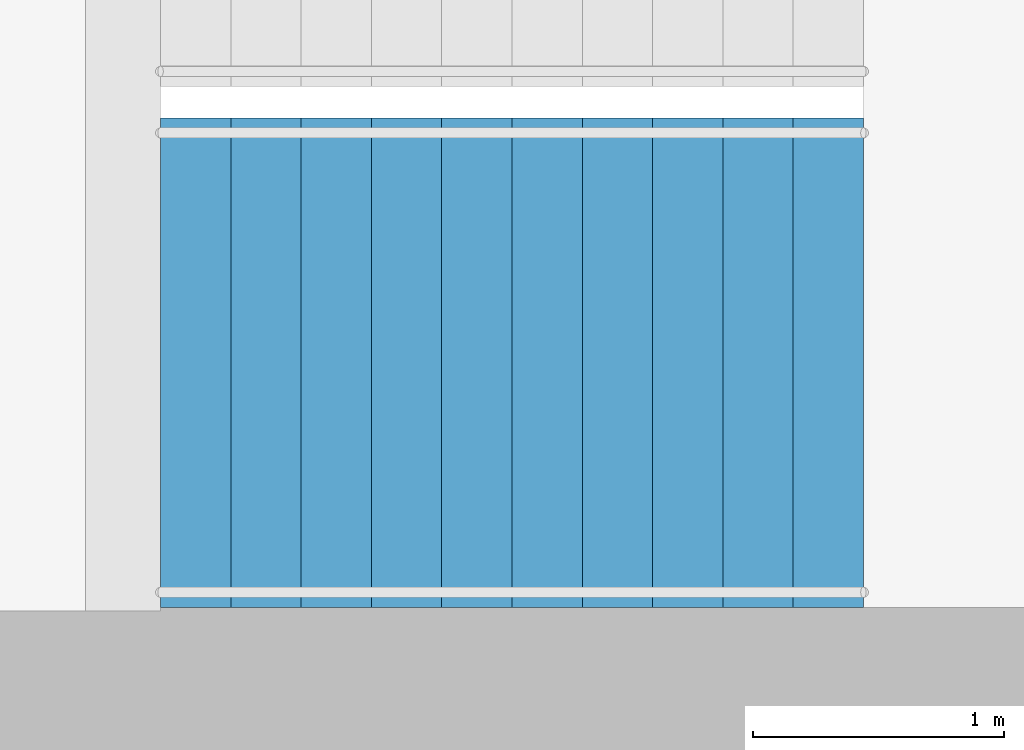
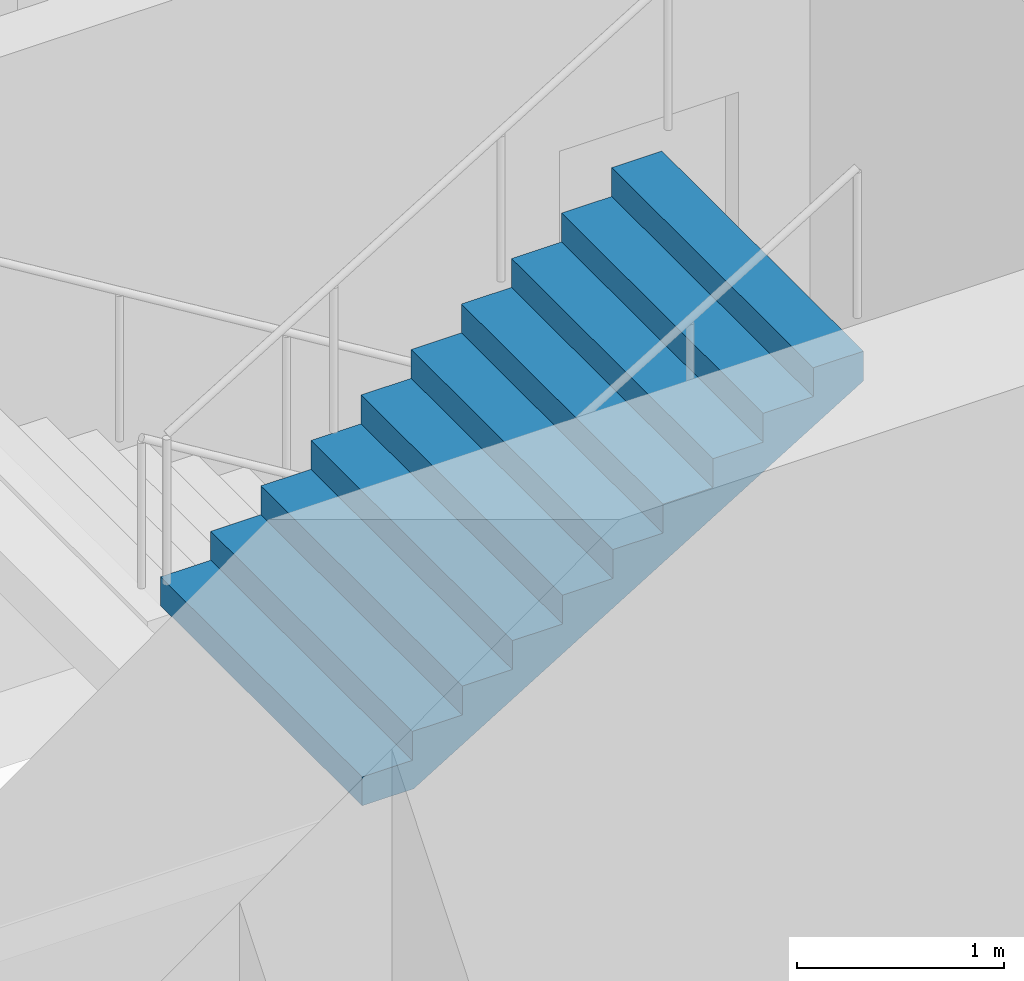
# One storey, part 26 of 29: 1 stair flight, 1 element without a shape of its own.
"""IFC4 building model written with IfcOpenShell, lengths in metres."""

from ifc_helpers import new_model, si_unit, direction, frame, origin, place, context, subcontext, project, spatial, triangles, material, type_object, element, aggregate, save


model = new_model("IFC4")

# Units and contexts
model_context = context("Model", 3, precision=1e-05, world=origin(), true_north=direction((0.0, 1.0)))
body_context = subcontext(model_context, "Body", "Model", "MODEL_VIEW")
ifc_project = project(units=[si_unit("LENGTHUNIT", "METRE"), si_unit("AREAUNIT", "SQUARE_METRE"), si_unit("VOLUMEUNIT", "CUBIC_METRE"), si_unit("PLANEANGLEUNIT", "RADIAN"), si_unit("MASSUNIT", "GRAM", prefix="KILO")], contexts=[model_context])

# Site, building, storey
site_placement = place(None, origin())
site = spatial("IfcSite", under=ifc_project, at=site_placement, CompositionType="ELEMENT")
building_placement = place(site_placement, origin())
building = spatial("IfcBuilding", under=site, at=building_placement, Name="Orbita Commons", CompositionType="ELEMENT")
storey_placement = place(building_placement, frame((0.0, 0.0, 163.60009765625)))
storey = spatial("IfcBuildingStorey", under=building, at=storey_placement, Name="L40", CompositionType="ELEMENT", Elevation=163.60009765625)

# Stair, stair flight
ifc_material_1 = material(Name="Precast concrete C40/50", Category="concrete")
stair_type = type_object("IfcStairType", Name="Exit stair S2 2 flights 11 risers 170", PredefinedType="HALF_TURN_STAIR", material=ifc_material_1)
stair_placement = place(storey_placement, origin())
stair = element("IfcStair", 1, at=stair_placement, inside=storey, type_object=stair_type, Name="Exit stair S2 L40", PredefinedType="HALF_TURN_STAIR")
ifc_material_2 = material(Name="Precast concrete C40/50", Category="concrete")
stair_flight_type = type_object("IfcStairFlightType", Name="Stair flight 11 risers 170 x 280", PredefinedType="STRAIGHT", material=ifc_material_2)
stair_flight_placement = place(storey_placement, frame((60.75, 27.199951171875, 1.875), z_axis=(0.0, 0.0, 1.0), x_axis=(1.0, 0.0, 0.0)))
stair_flight = element("IfcStairFlight", 2, at=stair_flight_placement, type_object=stair_flight_type, Name="S2 flight 2", NumberOfRisers=11, NumberOfTreads=10, PredefinedType="STRAIGHT", RiserHeight=0.170454545, TreadLength=0.28, context=body_context, shape_type="Tessellation", body=[
    triangles([(0.0, 0.974976, 0.0), (0.0, 0.974976, 0.021307), (0.0, 0.81248, 0.021307), (0.0, 0.81248, 0.0), (0.0, 0.649984, 0.021307), (0.0, 0.649984, 0.0), (0.0, 0.487488, 0.021307), (0.0, 0.487488, 0.0), (0.0, 0.324992, 0.021307), (0.0, 0.324992, 0.0), (0.0, 0.162496, 0.021307), (0.0, 0.162496, 0.0), (0.0, 0.0, 0.021307), (0.0, 0.0, 0.0), (0.0, -0.162496, 0.021307), (0.0, -0.162496, 0.0), (0.0, -0.324992, 0.021307), (0.0, -0.324992, 0.0), (0.0, -0.487488, 0.021307), (0.0, -0.487488, 0.0), (0.0, -0.649984, 0.021307), (0.0, -0.649984, 0.0), (0.0, -0.81248, 0.021307), (0.0, -0.81248, 0.0), (0.0, -0.974976, 0.021307), (0.0, -0.974976, 0.0), (0.0, 0.974976, 0.042614), (0.0, 0.81248, 0.042614), (0.0, 0.649984, 0.042614), (0.0, 0.487488, 0.042614), (0.0, 0.324992, 0.042614), (0.0, 0.162496, 0.042614), (0.0, 0.0, 0.042614), (0.0, -0.162496, 0.042614), (0.0, -0.324992, 0.042614), (0.0, -0.487488, 0.042614), (0.0, -0.649984, 0.042614), (0.0, -0.81248, 0.042614), (0.0, -0.974976, 0.042614), (0.0, 0.974976, 0.06392), (0.0, 0.81248, 0.06392), (0.0, 0.649984, 0.06392), (0.0, 0.487488, 0.06392), (0.0, 0.324992, 0.06392), (0.0, 0.162496, 0.06392), (0.0, 0.0, 0.06392), (0.0, -0.162496, 0.06392), (0.0, -0.324992, 0.06392), (0.0, -0.487488, 0.06392), (0.0, -0.649984, 0.06392), (0.0, -0.81248, 0.06392), (0.0, -0.974976, 0.06392), (0.0, 0.974976, 0.085227), (0.0, 0.81248, 0.085227), (0.0, 0.649984, 0.085227), (0.0, 0.487488, 0.085227), (0.0, 0.324992, 0.085227), (0.0, 0.162496, 0.085227), (0.0, 0.0, 0.085227), (0.0, -0.162496, 0.085227), (0.0, -0.324992, 0.085227), (0.0, -0.487488, 0.085227), (0.0, -0.649984, 0.085227), (0.0, -0.81248, 0.085227), (0.0, -0.974976, 0.085227), (0.0, 0.974976, 0.106534), (0.0, 0.81248, 0.106534), (0.0, 0.649984, 0.106534), (0.0, 0.487488, 0.106534), (0.0, 0.324992, 0.106534), (0.0, 0.162496, 0.106534), (0.0, 0.0, 0.106534), (0.0, -0.162496, 0.106534), (0.0, -0.324992, 0.106534), (0.0, -0.487488, 0.106534), (0.0, -0.649984, 0.106534), (0.0, -0.81248, 0.106534), (0.0, -0.974976, 0.106534), (0.0, 0.974976, 0.127841), (0.0, 0.81248, 0.127841), (0.0, 0.649984, 0.127841), (0.0, 0.487488, 0.127841), (0.0, 0.324992, 0.127841), (0.0, 0.162496, 0.127841), (0.0, 0.0, 0.127841), (0.0, -0.162496, 0.127841), (0.0, -0.324992, 0.127841), (0.0, -0.487488, 0.127841), (0.0, -0.649984, 0.127841), (0.0, -0.81248, 0.127841), (0.0, -0.974976, 0.127841), (0.0, 0.974976, 0.149148), (0.0, 0.81248, 0.149148), (0.0, 0.649984, 0.149148), (0.0, 0.487488, 0.149148), (0.0, 0.324992, 0.149148), (0.0, 0.162496, 0.149148), (0.0, 0.0, 0.149148), (0.0, -0.162496, 0.149148), (0.0, -0.324992, 0.149148), (0.0, -0.487488, 0.149148), (0.0, -0.649984, 0.149148), (0.0, -0.81248, 0.149148), (0.0, -0.974976, 0.149148), (0.0, 0.974976, 0.170455), (0.0, 0.81248, 0.170455), (0.0, 0.649984, 0.170455), (0.0, 0.487488, 0.170455), (0.0, 0.324992, 0.170455), (0.0, 0.162496, 0.170455), (0.0, 0.0, 0.170455), (0.0, -0.162496, 0.170455), (0.0, -0.324992, 0.170455), (0.0, -0.487488, 0.170455), (0.0, -0.649984, 0.170455), (0.0, -0.81248, 0.170455), (0.0, -0.974976, 0.170455), (0.28, 0.974976, 0.170455), (0.28, 0.81248, 0.170455), (0.28, 0.649984, 0.170455), (0.28, 0.487488, 0.170455), (0.28, 0.324992, 0.170455), (0.28, 0.162496, 0.170455), (0.28, 0.0, 0.170455), (0.28, -0.162496, 0.170455), (0.28, -0.324992, 0.170455), (0.28, -0.487488, 0.170455), (0.28, -0.649984, 0.170455), (0.28, -0.81248, 0.170455), (0.28, -0.974976, 0.170455), (0.28, 0.974976, 0.340909), (0.28, 0.81248, 0.340909), (0.28, 0.649984, 0.340909), (0.28, 0.487488, 0.340909), (0.28, 0.324992, 0.340909), (0.28, 0.162496, 0.340909), (0.28, 0.0, 0.340909), (0.28, -0.162496, 0.340909), (0.28, -0.324992, 0.340909), (0.28, -0.487488, 0.340909), (0.28, -0.649984, 0.340909), (0.28, -0.81248, 0.340909), (0.28, -0.974976, 0.340909), (0.56, 0.974976, 0.340909), (0.56, 0.81248, 0.340909), (0.56, 0.649984, 0.340909), (0.56, 0.487488, 0.340909), (0.56, 0.324992, 0.340909), (0.56, 0.162496, 0.340909), (0.56, 0.0, 0.340909), (0.56, -0.162496, 0.340909), (0.56, -0.324992, 0.340909), (0.56, -0.487488, 0.340909), (0.56, -0.649984, 0.340909), (0.56, -0.81248, 0.340909), (0.56, -0.974976, 0.340909), (0.56, 0.974976, 0.511364), (0.56, 0.81248, 0.511364), (0.56, 0.649984, 0.511364), (0.56, 0.487488, 0.511364), (0.56, 0.324992, 0.511364), (0.56, 0.162496, 0.511364), (0.56, 0.0, 0.511364), (0.56, -0.162496, 0.511364), (0.56, -0.324992, 0.511364), (0.56, -0.487488, 0.511364), (0.56, -0.649984, 0.511364), (0.56, -0.81248, 0.511364), (0.56, -0.974976, 0.511364), (0.84, 0.974976, 0.511364), (0.84, 0.81248, 0.511364), (0.84, 0.649984, 0.511364), (0.84, 0.487488, 0.511364), (0.84, 0.324992, 0.511364), (0.84, 0.162496, 0.511364), (0.84, 0.0, 0.511364), (0.84, -0.162496, 0.511364), (0.84, -0.324992, 0.511364), (0.84, -0.487488, 0.511364), (0.84, -0.649984, 0.511364), (0.84, -0.81248, 0.511364), (0.84, -0.974976, 0.511364), (0.84, 0.974976, 0.681818), (0.84, 0.81248, 0.681818), (0.84, 0.649984, 0.681818), (0.84, 0.487488, 0.681818), (0.84, 0.324992, 0.681818), (0.84, 0.162496, 0.681818), (0.84, 0.0, 0.681818), (0.84, -0.162496, 0.681818), (0.84, -0.324992, 0.681818), (0.84, -0.487488, 0.681818), (0.84, -0.649984, 0.681818), (0.84, -0.81248, 0.681818), (0.84, -0.974976, 0.681818), (1.12, 0.974976, 0.681818), (1.12, 0.81248, 0.681818), (1.12, 0.649984, 0.681818), (1.12, 0.487488, 0.681818), (1.12, 0.324992, 0.681818), (1.12, 0.162496, 0.681818), (1.12, 0.0, 0.681818), (1.12, -0.162496, 0.681818), (1.12, -0.324992, 0.681818), (1.12, -0.487488, 0.681818), (1.12, -0.649984, 0.681818), (1.12, -0.81248, 0.681818), (1.12, -0.974976, 0.681818), (1.12, 0.974976, 0.852273), (1.12, 0.81248, 0.852273), (1.12, 0.649984, 0.852273), (1.12, 0.487488, 0.852273), (1.12, 0.324992, 0.852273), (1.12, 0.162496, 0.852273), (1.12, 0.0, 0.852273), (1.12, -0.162496, 0.852273), (1.12, -0.324992, 0.852273), (1.12, -0.487488, 0.852273), (1.12, -0.649984, 0.852273), (1.12, -0.81248, 0.852273), (1.12, -0.974976, 0.852273), (1.4, 0.974976, 0.852273), (1.4, 0.81248, 0.852273), (1.4, 0.649984, 0.852273), (1.4, 0.487488, 0.852273), (1.4, 0.324992, 0.852273), (1.4, 0.162496, 0.852273), (1.4, 0.0, 0.852273), (1.4, -0.162496, 0.852273), (1.4, -0.324992, 0.852273), (1.4, -0.487488, 0.852273), (1.4, -0.649984, 0.852273), (1.4, -0.81248, 0.852273), (1.4, -0.974976, 0.852273), (1.4, 0.974976, 1.022727), (1.4, 0.81248, 1.022727), (1.4, 0.649984, 1.022727), (1.4, 0.487488, 1.022727), (1.4, 0.324992, 1.022727), (1.4, 0.162496, 1.022727), (1.4, 0.0, 1.022727), (1.4, -0.162496, 1.022727), (1.4, -0.324992, 1.022727), (1.4, -0.487488, 1.022727), (1.4, -0.649984, 1.022727), (1.4, -0.81248, 1.022727), (1.4, -0.974976, 1.022727), (1.68, 0.974976, 1.022727), (1.68, 0.81248, 1.022727), (1.68, 0.649984, 1.022727), (1.68, 0.487488, 1.022727), (1.68, 0.324992, 1.022727), (1.68, 0.162496, 1.022727), (1.68, 0.0, 1.022727), (1.68, -0.162496, 1.022727), (1.68, -0.324992, 1.022727), (1.68, -0.487488, 1.022727), (1.68, -0.649984, 1.022727), (1.68, -0.81248, 1.022727), (1.68, -0.974976, 1.022727), (1.68, 0.974976, 1.193182), (1.68, 0.81248, 1.193182), (1.68, 0.649984, 1.193182), (1.68, 0.487488, 1.193182), (1.68, 0.324992, 1.193182), (1.68, 0.162496, 1.193182), (1.68, 0.0, 1.193182), (1.68, -0.162496, 1.193182), (1.68, -0.324992, 1.193182), (1.68, -0.487488, 1.193182), (1.68, -0.649984, 1.193182), (1.68, -0.81248, 1.193182), (1.68, -0.974976, 1.193182), (1.96, 0.974976, 1.193182), (1.96, 0.81248, 1.193182), (1.96, 0.649984, 1.193182), (1.96, 0.487488, 1.193182), (1.96, 0.324992, 1.193182), (1.96, 0.162496, 1.193182), (1.96, 0.0, 1.193182), (1.96, -0.162496, 1.193182), (1.96, -0.324992, 1.193182), (1.96, -0.487488, 1.193182), (1.96, -0.649984, 1.193182), (1.96, -0.81248, 1.193182), (1.96, -0.974976, 1.193182), (1.96, 0.974976, 1.363636), (1.96, 0.81248, 1.363636), (1.96, 0.649984, 1.363636), (1.96, 0.487488, 1.363636), (1.96, 0.324992, 1.363636), (1.96, 0.162496, 1.363636), (1.96, 0.0, 1.363636), (1.96, -0.162496, 1.363636), (1.96, -0.324992, 1.363636), (1.96, -0.487488, 1.363636), (1.96, -0.649984, 1.363636), (1.96, -0.81248, 1.363636), (1.96, -0.974976, 1.363636), (2.24, 0.974976, 1.363636), (2.24, 0.81248, 1.363636), (2.24, 0.649984, 1.363636), (2.24, 0.487488, 1.363636), (2.24, 0.324992, 1.363636), (2.24, 0.162496, 1.363636), (2.24, 0.0, 1.363636), (2.24, -0.162496, 1.363636), (2.24, -0.324992, 1.363636), (2.24, -0.487488, 1.363636), (2.24, -0.649984, 1.363636), (2.24, -0.81248, 1.363636), (2.24, -0.974976, 1.363636), (2.24, 0.974976, 1.534091), (2.24, 0.81248, 1.534091), (2.24, 0.649984, 1.534091), (2.24, 0.487488, 1.534091), (2.24, 0.324992, 1.534091), (2.24, 0.162496, 1.534091), (2.24, 0.0, 1.534091), (2.24, -0.162496, 1.534091), (2.24, -0.324992, 1.534091), (2.24, -0.487488, 1.534091), (2.24, -0.649984, 1.534091), (2.24, -0.81248, 1.534091), (2.24, -0.974976, 1.534091), (2.52, 0.974976, 1.534091), (2.52, 0.81248, 1.534091), (2.52, 0.649984, 1.534091), (2.52, 0.487488, 1.534091), (2.52, 0.324992, 1.534091), (2.52, 0.162496, 1.534091), (2.52, 0.0, 1.534091), (2.52, -0.162496, 1.534091), (2.52, -0.324992, 1.534091), (2.52, -0.487488, 1.534091), (2.52, -0.649984, 1.534091), (2.52, -0.81248, 1.534091), (2.52, -0.974976, 1.534091), (2.52, 0.974976, 1.704545), (2.52, 0.81248, 1.704545), (2.52, 0.649984, 1.704545), (2.52, 0.487488, 1.704545), (2.52, 0.324992, 1.704545), (2.52, 0.162496, 1.704545), (2.52, 0.0, 1.704545), (2.52, -0.162496, 1.704545), (2.52, -0.324992, 1.704545), (2.52, -0.487488, 1.704545), (2.52, -0.649984, 1.704545), (2.52, -0.81248, 1.704545), (2.52, -0.974976, 1.704545), (2.8, 0.974976, 1.704545), (2.8, 0.81248, 1.704545), (2.8, 0.649984, 1.704545), (2.8, 0.487488, 1.704545), (2.8, 0.324992, 1.704545), (2.8, 0.162496, 1.704545), (2.8, 0.0, 1.704545), (2.8, -0.162496, 1.704545), (2.8, -0.324992, 1.704545), (2.8, -0.487488, 1.704545), (2.8, -0.649984, 1.704545), (2.8, -0.81248, 1.704545), (2.8, -0.974976, 1.704545), (2.8, 0.974976, 1.682609), (2.8, 0.81248, 1.682609), (2.8, 0.649984, 1.682609), (2.8, 0.487488, 1.682609), (2.8, 0.324992, 1.682609), (2.8, 0.162496, 1.682609), (2.8, 0.0, 1.682609), (2.8, -0.162496, 1.682609), (2.8, -0.324992, 1.682609), (2.8, -0.487488, 1.682609), (2.8, -0.649984, 1.682609), (2.8, -0.81248, 1.682609), (2.8, -0.974976, 1.682609), (2.8, 0.974976, 1.660672), (2.8, 0.81248, 1.660672), (2.8, 0.649984, 1.660672), (2.8, 0.487488, 1.660672), (2.8, 0.324992, 1.660672), (2.8, 0.162496, 1.660672), (2.8, 0.0, 1.660672), (2.8, -0.162496, 1.660672), (2.8, -0.324992, 1.660672), (2.8, -0.487488, 1.660672), (2.8, -0.649984, 1.660672), (2.8, -0.81248, 1.660672), (2.8, -0.974976, 1.660672), (2.8, 0.974976, 1.638735), (2.8, 0.81248, 1.638735), (2.8, 0.649984, 1.638735), (2.8, 0.487488, 1.638735), (2.8, 0.324992, 1.638735), (2.8, 0.162496, 1.638735), (2.8, 0.0, 1.638735), (2.8, -0.162496, 1.638735), (2.8, -0.324992, 1.638735), (2.8, -0.487488, 1.638735), (2.8, -0.649984, 1.638735), (2.8, -0.81248, 1.638735), (2.8, -0.974976, 1.638735), (2.8, 0.974976, 1.616798), (2.8, 0.81248, 1.616798), (2.8, 0.649984, 1.616798), (2.8, 0.487488, 1.616798), (2.8, 0.324992, 1.616798), (2.8, 0.162496, 1.616798), (2.8, 0.0, 1.616798), (2.8, -0.162496, 1.616798), (2.8, -0.324992, 1.616798), (2.8, -0.487488, 1.616798), (2.8, -0.649984, 1.616798), (2.8, -0.81248, 1.616798), (2.8, -0.974976, 1.616798), (2.8, 0.974976, 1.594861), (2.8, 0.81248, 1.594861), (2.8, 0.649984, 1.594861), (2.8, 0.487488, 1.594861), (2.8, 0.324992, 1.594861), (2.8, 0.162496, 1.594861), (2.8, 0.0, 1.594861), (2.8, -0.162496, 1.594861), (2.8, -0.324992, 1.594861), (2.8, -0.487488, 1.594861), (2.8, -0.649984, 1.594861), (2.8, -0.81248, 1.594861), (2.8, -0.974976, 1.594861), (2.8, 0.974976, 1.572925), (2.8, 0.81248, 1.572925), (2.8, 0.649984, 1.572925), (2.8, 0.487488, 1.572925), (2.8, 0.324992, 1.572925), (2.8, 0.162496, 1.572925), (2.8, 0.0, 1.572925), (2.8, -0.162496, 1.572925), (2.8, -0.324992, 1.572925), (2.8, -0.487488, 1.572925), (2.8, -0.649984, 1.572925), (2.8, -0.81248, 1.572925), (2.8, -0.974976, 1.572925), (2.8, 0.974976, 1.550988), (2.8, 0.81248, 1.550988), (2.8, 0.649984, 1.550988), (2.8, 0.487488, 1.550988), (2.8, 0.324992, 1.550988), (2.8, 0.162496, 1.550988), (2.8, 0.0, 1.550988), (2.8, -0.162496, 1.550988), (2.8, -0.324992, 1.550988), (2.8, -0.487488, 1.550988), (2.8, -0.649984, 1.550988), (2.8, -0.81248, 1.550988), (2.8, -0.974976, 1.550988), (2.8, 0.974976, 1.529051), (2.8, 0.81248, 1.529051), (2.8, 0.649984, 1.529051), (2.8, 0.487488, 1.529051), (2.8, 0.324992, 1.529051), (2.8, 0.162496, 1.529051), (2.8, 0.0, 1.529051), (2.8, -0.162496, 1.529051), (2.8, -0.324992, 1.529051), (2.8, -0.487488, 1.529051), (2.8, -0.649984, 1.529051), (2.8, -0.81248, 1.529051), (2.8, -0.974976, 1.529051), (0.288279, 0.974976, 0.0), (0.288279, 0.81248, 0.0), (0.288279, 0.649984, 0.0), (0.288279, 0.487488, 0.0), (0.288279, 0.324992, 0.0), (0.288279, 0.162496, 0.0), (0.288279, 0.0, 0.0), (0.288279, -0.162496, 0.0), (0.288279, -0.324992, 0.0), (0.288279, -0.487488, 0.0), (0.288279, -0.649984, 0.0), (0.288279, -0.81248, 0.0), (0.288279, -0.974976, 0.0)], [[3, 2, 1], [4, 3, 1], [5, 3, 4], [6, 5, 4], [7, 5, 6], [8, 7, 6], [9, 7, 8], [10, 9, 8], [11, 9, 10], [12, 11, 10], [13, 11, 12], [14, 13, 12], [15, 13, 14], [16, 15, 14], [17, 15, 16], [18, 17, 16], [19, 17, 18], [20, 19, 18], [21, 19, 20], [22, 21, 20], [23, 21, 22], [24, 23, 22], [25, 23, 24], [26, 25, 24], [28, 27, 2], [3, 28, 2], [29, 28, 3], [5, 29, 3], [30, 29, 5], [7, 30, 5], [31, 30, 7], [9, 31, 7], [32, 31, 9], [11, 32, 9], [33, 32, 11], [13, 33, 11], [34, 33, 13], [15, 34, 13], [35, 34, 15], [17, 35, 15], [36, 35, 17], [19, 36, 17], [37, 36, 19], [21, 37, 19], [38, 37, 21], [23, 38, 21], [39, 38, 23], [25, 39, 23], [41, 40, 27], [28, 41, 27], [42, 41, 28], [29, 42, 28], [43, 42, 29], [30, 43, 29], [44, 43, 30], [31, 44, 30], [45, 44, 31], [32, 45, 31], [46, 45, 32], [33, 46, 32], [47, 46, 33], [34, 47, 33], [48, 47, 34], [35, 48, 34], [49, 48, 35], [36, 49, 35], [50, 49, 36], [37, 50, 36], [51, 50, 37], [38, 51, 37], [52, 51, 38], [39, 52, 38], [54, 53, 40], [41, 54, 40], [55, 54, 41], [42, 55, 41], [56, 55, 42], [43, 56, 42], [57, 56, 43], [44, 57, 43], [58, 57, 44], [45, 58, 44], [59, 58, 45], [46, 59, 45], [60, 59, 46], [47, 60, 46], [61, 60, 47], [48, 61, 47], [62, 61, 48], [49, 62, 48], [63, 62, 49], [50, 63, 49], [64, 63, 50], [51, 64, 50], [65, 64, 51], [52, 65, 51], [67, 66, 53], [54, 67, 53], [68, 67, 54], [55, 68, 54], [69, 68, 55], [56, 69, 55], [70, 69, 56], [57, 70, 56], [71, 70, 57], [58, 71, 57], [72, 71, 58], [59, 72, 58], [73, 72, 59], [60, 73, 59], [74, 73, 60], [61, 74, 60], [75, 74, 61], [62, 75, 61], [76, 75, 62], [63, 76, 62], [77, 76, 63], [64, 77, 63], [78, 77, 64], [65, 78, 64], [80, 79, 66], [67, 80, 66], [81, 80, 67], [68, 81, 67], [82, 81, 68], [69, 82, 68], [83, 82, 69], [70, 83, 69], [84, 83, 70], [71, 84, 70], [85, 84, 71], [72, 85, 71], [86, 85, 72], [73, 86, 72], [87, 86, 73], [74, 87, 73], [88, 87, 74], [75, 88, 74], [89, 88, 75], [76, 89, 75], [90, 89, 76], [77, 90, 76], [91, 90, 77], [78, 91, 77], [93, 92, 79], [80, 93, 79], [94, 93, 80], [81, 94, 80], [95, 94, 81], [82, 95, 81], [96, 95, 82], [83, 96, 82], [97, 96, 83], [84, 97, 83], [98, 97, 84], [85, 98, 84], [99, 98, 85], [86, 99, 85], [100, 99, 86], [87, 100, 86], [101, 100, 87], [88, 101, 87], [102, 101, 88], [89, 102, 88], [103, 102, 89], [90, 103, 89], [104, 103, 90], [91, 104, 90], [106, 105, 92], [93, 106, 92], [107, 106, 93], [94, 107, 93], [108, 107, 94], [95, 108, 94], [109, 108, 95], [96, 109, 95], [110, 109, 96], [97, 110, 96], [111, 110, 97], [98, 111, 97], [112, 111, 98], [99, 112, 98], [113, 112, 99], [100, 113, 99], [114, 113, 100], [101, 114, 100], [115, 114, 101], [102, 115, 101], [116, 115, 102], [103, 116, 102], [117, 116, 103], [104, 117, 103], [119, 118, 105], [106, 119, 105], [120, 119, 106], [107, 120, 106], [121, 120, 107], [108, 121, 107], [122, 121, 108], [109, 122, 108], [123, 122, 109], [110, 123, 109], [124, 123, 110], [111, 124, 110], [125, 124, 111], [112, 125, 111], [126, 125, 112], [113, 126, 112], [127, 126, 113], [114, 127, 113], [128, 127, 114], [115, 128, 114], [129, 128, 115], [116, 129, 115], [130, 129, 116], [117, 130, 116], [132, 131, 118], [119, 132, 118], [133, 132, 119], [120, 133, 119], [134, 133, 120], [121, 134, 120], [135, 134, 121], [122, 135, 121], [136, 135, 122], [123, 136, 122], [137, 136, 123], [124, 137, 123], [138, 137, 124], [125, 138, 124], [139, 138, 125], [126, 139, 125], [140, 139, 126], [127, 140, 126], [141, 140, 127], [128, 141, 127], [142, 141, 128], [129, 142, 128], [143, 142, 129], [130, 143, 129], [145, 144, 131], [132, 145, 131], [146, 145, 132], [133, 146, 132], [147, 146, 133], [134, 147, 133], [148, 147, 134], [135, 148, 134], [149, 148, 135], [136, 149, 135], [150, 149, 136], [137, 150, 136], [151, 150, 137], [138, 151, 137], [152, 151, 138], [139, 152, 138], [153, 152, 139], [140, 153, 139], [154, 153, 140], [141, 154, 140], [155, 154, 141], [142, 155, 141], [156, 155, 142], [143, 156, 142], [158, 157, 144], [145, 158, 144], [159, 158, 145], [146, 159, 145], [160, 159, 146], [147, 160, 146], [161, 160, 147], [148, 161, 147], [162, 161, 148], [149, 162, 148], [163, 162, 149], [150, 163, 149], [164, 163, 150], [151, 164, 150], [165, 164, 151], [152, 165, 151], [166, 165, 152], [153, 166, 152], [167, 166, 153], [154, 167, 153], [168, 167, 154], [155, 168, 154], [169, 168, 155], [156, 169, 155], [171, 170, 157], [158, 171, 157], [172, 171, 158], [159, 172, 158], [173, 172, 159], [160, 173, 159], [174, 173, 160], [161, 174, 160], [175, 174, 161], [162, 175, 161], [176, 175, 162], [163, 176, 162], [177, 176, 163], [164, 177, 163], [178, 177, 164], [165, 178, 164], [179, 178, 165], [166, 179, 165], [180, 179, 166], [167, 180, 166], [181, 180, 167], [168, 181, 167], [182, 181, 168], [169, 182, 168], [184, 183, 170], [171, 184, 170], [185, 184, 171], [172, 185, 171], [186, 185, 172], [173, 186, 172], [187, 186, 173], [174, 187, 173], [188, 187, 174], [175, 188, 174], [189, 188, 175], [176, 189, 175], [190, 189, 176], [177, 190, 176], [191, 190, 177], [178, 191, 177], [192, 191, 178], [179, 192, 178], [193, 192, 179], [180, 193, 179], [194, 193, 180], [181, 194, 180], [195, 194, 181], [182, 195, 181], [197, 196, 183], [184, 197, 183], [198, 197, 184], [185, 198, 184], [199, 198, 185], [186, 199, 185], [200, 199, 186], [187, 200, 186], [201, 200, 187], [188, 201, 187], [202, 201, 188], [189, 202, 188], [203, 202, 189], [190, 203, 189], [204, 203, 190], [191, 204, 190], [205, 204, 191], [192, 205, 191], [206, 205, 192], [193, 206, 192], [207, 206, 193], [194, 207, 193], [208, 207, 194], [195, 208, 194], [210, 209, 196], [197, 210, 196], [211, 210, 197], [198, 211, 197], [212, 211, 198], [199, 212, 198], [213, 212, 199], [200, 213, 199], [214, 213, 200], [201, 214, 200], [215, 214, 201], [202, 215, 201], [216, 215, 202], [203, 216, 202], [217, 216, 203], [204, 217, 203], [218, 217, 204], [205, 218, 204], [219, 218, 205], [206, 219, 205], [220, 219, 206], [207, 220, 206], [221, 220, 207], [208, 221, 207], [223, 222, 209], [210, 223, 209], [224, 223, 210], [211, 224, 210], [225, 224, 211], [212, 225, 211], [226, 225, 212], [213, 226, 212], [227, 226, 213], [214, 227, 213], [228, 227, 214], [215, 228, 214], [229, 228, 215], [216, 229, 215], [230, 229, 216], [217, 230, 216], [231, 230, 217], [218, 231, 217], [232, 231, 218], [219, 232, 218], [233, 232, 219], [220, 233, 219], [234, 233, 220], [221, 234, 220], [236, 235, 222], [223, 236, 222], [237, 236, 223], [224, 237, 223], [238, 237, 224], [225, 238, 224], [239, 238, 225], [226, 239, 225], [240, 239, 226], [227, 240, 226], [241, 240, 227], [228, 241, 227], [242, 241, 228], [229, 242, 228], [243, 242, 229], [230, 243, 229], [244, 243, 230], [231, 244, 230], [245, 244, 231], [232, 245, 231], [246, 245, 232], [233, 246, 232], [247, 246, 233], [234, 247, 233], [249, 248, 235], [236, 249, 235], [250, 249, 236], [237, 250, 236], [251, 250, 237], [238, 251, 237], [252, 251, 238], [239, 252, 238], [253, 252, 239], [240, 253, 239], [254, 253, 240], [241, 254, 240], [255, 254, 241], [242, 255, 241], [256, 255, 242], [243, 256, 242], [257, 256, 243], [244, 257, 243], [258, 257, 244], [245, 258, 244], [259, 258, 245], [246, 259, 245], [260, 259, 246], [247, 260, 246], [262, 261, 248], [249, 262, 248], [263, 262, 249], [250, 263, 249], [264, 263, 250], [251, 264, 250], [265, 264, 251], [252, 265, 251], [266, 265, 252], [253, 266, 252], [267, 266, 253], [254, 267, 253], [268, 267, 254], [255, 268, 254], [269, 268, 255], [256, 269, 255], [270, 269, 256], [257, 270, 256], [271, 270, 257], [258, 271, 257], [272, 271, 258], [259, 272, 258], [273, 272, 259], [260, 273, 259], [275, 274, 261], [262, 275, 261], [276, 275, 262], [263, 276, 262], [277, 276, 263], [264, 277, 263], [278, 277, 264], [265, 278, 264], [279, 278, 265], [266, 279, 265], [280, 279, 266], [267, 280, 266], [281, 280, 267], [268, 281, 267], [282, 281, 268], [269, 282, 268], [283, 282, 269], [270, 283, 269], [284, 283, 270], [271, 284, 270], [285, 284, 271], [272, 285, 271], [286, 285, 272], [273, 286, 272], [288, 287, 274], [275, 288, 274], [289, 288, 275], [276, 289, 275], [290, 289, 276], [277, 290, 276], [291, 290, 277], [278, 291, 277], [292, 291, 278], [279, 292, 278], [293, 292, 279], [280, 293, 279], [294, 293, 280], [281, 294, 280], [295, 294, 281], [282, 295, 281], [296, 295, 282], [283, 296, 282], [297, 296, 283], [284, 297, 283], [298, 297, 284], [285, 298, 284], [299, 298, 285], [286, 299, 285], [301, 300, 287], [288, 301, 287], [302, 301, 288], [289, 302, 288], [303, 302, 289], [290, 303, 289], [304, 303, 290], [291, 304, 290], [305, 304, 291], [292, 305, 291], [306, 305, 292], [293, 306, 292], [307, 306, 293], [294, 307, 293], [308, 307, 294], [295, 308, 294], [309, 308, 295], [296, 309, 295], [310, 309, 296], [297, 310, 296], [311, 310, 297], [298, 311, 297], [312, 311, 298], [299, 312, 298], [314, 313, 300], [301, 314, 300], [315, 314, 301], [302, 315, 301], [316, 315, 302], [303, 316, 302], [317, 316, 303], [304, 317, 303], [318, 317, 304], [305, 318, 304], [319, 318, 305], [306, 319, 305], [320, 319, 306], [307, 320, 306], [321, 320, 307], [308, 321, 307], [322, 321, 308], [309, 322, 308], [323, 322, 309], [310, 323, 309], [324, 323, 310], [311, 324, 310], [325, 324, 311], [312, 325, 311], [327, 326, 313], [314, 327, 313], [328, 327, 314], [315, 328, 314], [329, 328, 315], [316, 329, 315], [330, 329, 316], [317, 330, 316], [331, 330, 317], [318, 331, 317], [332, 331, 318], [319, 332, 318], [333, 332, 319], [320, 333, 319], [334, 333, 320], [321, 334, 320], [335, 334, 321], [322, 335, 321], [336, 335, 322], [323, 336, 322], [337, 336, 323], [324, 337, 323], [338, 337, 324], [325, 338, 324], [340, 339, 326], [327, 340, 326], [341, 340, 327], [328, 341, 327], [342, 341, 328], [329, 342, 328], [343, 342, 329], [330, 343, 329], [344, 343, 330], [331, 344, 330], [345, 344, 331], [332, 345, 331], [346, 345, 332], [333, 346, 332], [347, 346, 333], [334, 347, 333], [348, 347, 334], [335, 348, 334], [349, 348, 335], [336, 349, 335], [350, 349, 336], [337, 350, 336], [351, 350, 337], [338, 351, 337], [353, 352, 339], [340, 353, 339], [354, 353, 340], [341, 354, 340], [355, 354, 341], [342, 355, 341], [356, 355, 342], [343, 356, 342], [357, 356, 343], [344, 357, 343], [358, 357, 344], [345, 358, 344], [359, 358, 345], [346, 359, 345], [360, 359, 346], [347, 360, 346], [361, 360, 347], [348, 361, 347], [362, 361, 348], [349, 362, 348], [363, 362, 349], [350, 363, 349], [364, 363, 350], [351, 364, 350], [366, 365, 352], [353, 366, 352], [367, 366, 353], [354, 367, 353], [368, 367, 354], [355, 368, 354], [369, 368, 355], [356, 369, 355], [370, 369, 356], [357, 370, 356], [371, 370, 357], [358, 371, 357], [372, 371, 358], [359, 372, 358], [373, 372, 359], [360, 373, 359], [374, 373, 360], [361, 374, 360], [375, 374, 361], [362, 375, 361], [376, 375, 362], [363, 376, 362], [377, 376, 363], [364, 377, 363], [379, 378, 365], [366, 379, 365], [380, 379, 366], [367, 380, 366], [381, 380, 367], [368, 381, 367], [382, 381, 368], [369, 382, 368], [383, 382, 369], [370, 383, 369], [384, 383, 370], [371, 384, 370], [385, 384, 371], [372, 385, 371], [386, 385, 372], [373, 386, 372], [387, 386, 373], [374, 387, 373], [388, 387, 374], [375, 388, 374], [389, 388, 375], [376, 389, 375], [390, 389, 376], [377, 390, 376], [392, 391, 378], [379, 392, 378], [393, 392, 379], [380, 393, 379], [394, 393, 380], [381, 394, 380], [395, 394, 381], [382, 395, 381], [396, 395, 382], [383, 396, 382], [397, 396, 383], [384, 397, 383], [398, 397, 384], [385, 398, 384], [399, 398, 385], [386, 399, 385], [400, 399, 386], [387, 400, 386], [401, 400, 387], [388, 401, 387], [402, 401, 388], [389, 402, 388], [403, 402, 389], [390, 403, 389], [405, 404, 391], [392, 405, 391], [406, 405, 392], [393, 406, 392], [407, 406, 393], [394, 407, 393], [408, 407, 394], [395, 408, 394], [409, 408, 395], [396, 409, 395], [410, 409, 396], [397, 410, 396], [411, 410, 397], [398, 411, 397], [412, 411, 398], [399, 412, 398], [413, 412, 399], [400, 413, 399], [414, 413, 400], [401, 414, 400], [415, 414, 401], [402, 415, 401], [416, 415, 402], [403, 416, 402], [418, 417, 404], [405, 418, 404], [419, 418, 405], [406, 419, 405], [420, 419, 406], [407, 420, 406], [421, 420, 407], [408, 421, 407], [422, 421, 408], [409, 422, 408], [423, 422, 409], [410, 423, 409], [424, 423, 410], [411, 424, 410], [425, 424, 411], [412, 425, 411], [426, 425, 412], [413, 426, 412], [427, 426, 413], [414, 427, 413], [428, 427, 414], [415, 428, 414], [429, 428, 415], [416, 429, 415], [431, 430, 417], [418, 431, 417], [432, 431, 418], [419, 432, 418], [433, 432, 419], [420, 433, 419], [434, 433, 420], [421, 434, 420], [435, 434, 421], [422, 435, 421], [436, 435, 422], [423, 436, 422], [437, 436, 423], [424, 437, 423], [438, 437, 424], [425, 438, 424], [439, 438, 425], [426, 439, 425], [440, 439, 426], [427, 440, 426], [441, 440, 427], [428, 441, 427], [442, 441, 428], [429, 442, 428], [444, 443, 430], [431, 444, 430], [445, 444, 431], [432, 445, 431], [446, 445, 432], [433, 446, 432], [447, 446, 433], [434, 447, 433], [448, 447, 434], [435, 448, 434], [449, 448, 435], [436, 449, 435], [450, 449, 436], [437, 450, 436], [451, 450, 437], [438, 451, 437], [452, 451, 438], [439, 452, 438], [453, 452, 439], [440, 453, 439], [454, 453, 440], [441, 454, 440], [455, 454, 441], [442, 455, 441], [457, 456, 443], [444, 457, 443], [458, 457, 444], [445, 458, 444], [459, 458, 445], [446, 459, 445], [460, 459, 446], [447, 460, 446], [461, 460, 447], [448, 461, 447], [462, 461, 448], [449, 462, 448], [463, 462, 449], [450, 463, 449], [464, 463, 450], [451, 464, 450], [465, 464, 451], [452, 465, 451], [466, 465, 452], [453, 466, 452], [467, 466, 453], [454, 467, 453], [468, 467, 454], [455, 468, 454], [470, 469, 456], [457, 470, 456], [471, 470, 457], [458, 471, 457], [472, 471, 458], [459, 472, 458], [473, 472, 459], [460, 473, 459], [474, 473, 460], [461, 474, 460], [475, 474, 461], [462, 475, 461], [476, 475, 462], [463, 476, 462], [477, 476, 463], [464, 477, 463], [478, 477, 464], [465, 478, 464], [479, 478, 465], [466, 479, 465], [480, 479, 466], [467, 480, 466], [481, 480, 467], [468, 481, 467], [4, 1, 469], [470, 4, 469], [6, 4, 470], [471, 6, 470], [8, 6, 471], [472, 8, 471], [10, 8, 472], [473, 10, 472], [12, 10, 473], [474, 12, 473], [14, 12, 474], [475, 14, 474], [16, 14, 475], [476, 16, 475], [18, 16, 476], [477, 18, 476], [20, 18, 477], [478, 20, 477], [22, 20, 478], [479, 22, 478], [24, 22, 479], [480, 24, 479], [26, 24, 480], [481, 26, 480], [456, 469, 1], [26, 481, 468], [443, 456, 1], [26, 468, 455], [430, 443, 1], [26, 455, 442], [417, 430, 1], [26, 442, 429], [404, 417, 1], [26, 429, 416], [391, 404, 1], [26, 416, 403], [378, 391, 1], [26, 403, 390], [365, 378, 1], [26, 390, 377], [339, 352, 365], [377, 364, 351], [326, 339, 365], [377, 351, 338], [300, 313, 326], [338, 325, 312], [300, 326, 365], [377, 338, 312], [274, 287, 300], [312, 299, 286], [274, 300, 365], [377, 312, 286], [248, 261, 274], [286, 273, 260], [248, 274, 365], [377, 286, 260], [222, 235, 248], [260, 247, 234], [222, 248, 365], [377, 260, 234], [196, 209, 222], [234, 221, 208], [196, 222, 365], [377, 234, 208], [170, 183, 196], [208, 195, 182], [170, 196, 365], [377, 208, 182], [144, 157, 170], [182, 169, 156], [144, 170, 365], [377, 182, 156], [118, 131, 144], [156, 143, 130], [118, 144, 365], [377, 156, 130], [118, 365, 1], [26, 377, 130], [92, 105, 118], [130, 117, 104], [79, 92, 118], [130, 104, 91], [66, 79, 118], [130, 91, 78], [53, 66, 118], [130, 78, 65], [40, 53, 118], [130, 65, 52], [27, 40, 118], [130, 52, 39], [2, 27, 118], [130, 39, 25], [1, 2, 118], [130, 25, 26]], closed=True),
])
aggregate(stair, [stair_flight])

save(model, "model.ifc")
